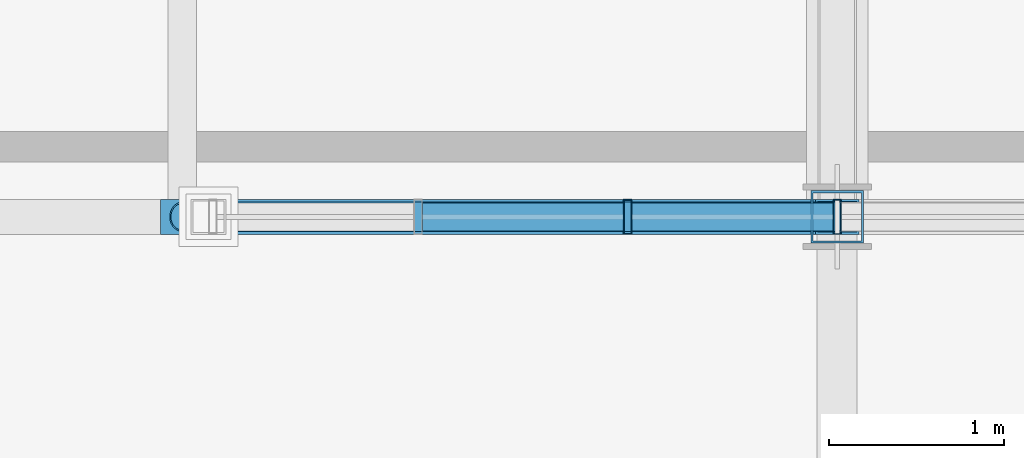
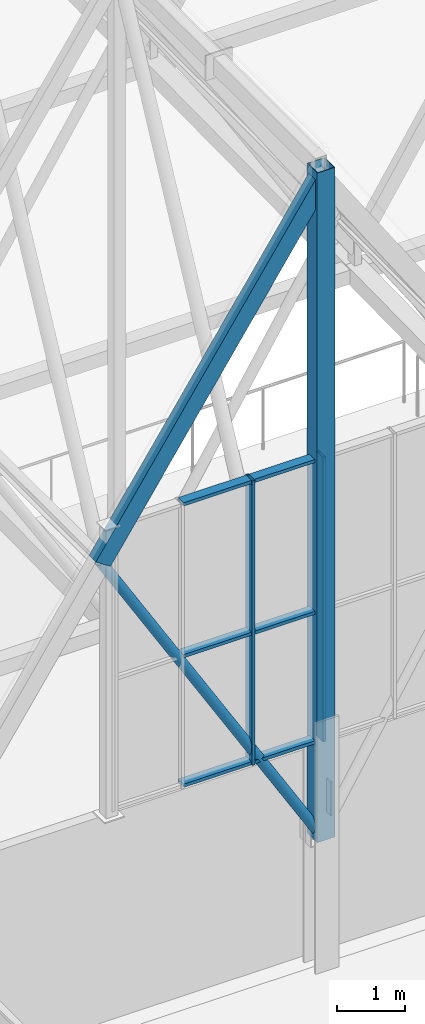
# One storey, part 81 of 324: 11 members, 1 element without a shape of its own.
"""IFC4 building model written with IfcOpenShell, lengths in metres."""

from ifc_helpers import new_model, si_unit, direction, frame, origin, origin_2d, place, context, subcontext, project, spatial, hollow_rectangle, hollow_circle, extrude, material, layer, layer_set, material_profile, profile_set, type_object, element, aggregate, save


model = new_model("IFC4")

# Units and contexts
model_context = context("Model", 3, precision=1e-05, world=origin(), true_north=direction((0.0, 1.0)))
body_context = subcontext(model_context, "Body", "Model", "MODEL_VIEW")
ifc_project = project(units=[si_unit("LENGTHUNIT", "METRE"), si_unit("AREAUNIT", "SQUARE_METRE"), si_unit("VOLUMEUNIT", "CUBIC_METRE"), si_unit("PLANEANGLEUNIT", "RADIAN"), si_unit("MASSUNIT", "GRAM", prefix="KILO")], contexts=[model_context])

# Site, building, storey
site_placement = place(None, origin())
site = spatial("IfcSite", under=ifc_project, at=site_placement, CompositionType="ELEMENT")
building_placement = place(site_placement, origin())
building = spatial("IfcBuilding", under=site, at=building_placement, Name="Solvenia Promenade Tram Depot", CompositionType="ELEMENT")
storey_placement = place(building_placement, frame((0.0, 0.0, 4.5)))
storey = spatial("IfcBuildingStorey", under=building, at=storey_placement, Name="L01", CompositionType="ELEMENT", Elevation=4.5)

# Curtain wall, members
ifc_material_1 = material(Name="Anodized aluminium AW-6063 T6", Category="aluminium")
ifc_layer = layer(ifc_material_1, 0.14990234375, Name="Anodized aluminium AW-6063 T6", Category="aluminium")
ifc_layer_set = layer_set([ifc_layer], Name="Anodized aluminium AW-6063 T6")
curtain_wall_type = type_object("IfcCurtainWallType", Name="CW-Gable-1200", PredefinedType="NOTDEFINED", material=ifc_layer_set)
curtain_wall_placement = place(storey_placement, origin())
curtain_wall = element("IfcCurtainWall", 1, at=curtain_wall_placement, inside=storey, type_object=curtain_wall_type, Name="South Zigzag Gable 01 Peak Glazing", PredefinedType="NOTDEFINED")
ifc_material_profile_1 = material_profile(ifc_material_1, hollow_rectangle(XDim=0.199951171875, YDim=0.048095703125, WallThickness=0.00390625, at=origin_2d()), Name="ALU-M3", Category="aluminium")
ifc_profile_set_1 = profile_set([ifc_material_profile_1], Name="Anodized aluminium AW-6063 T6")
member_type_1 = type_object("IfcMemberType", Name="CWM-Mullion-3", PredefinedType="MULLION", material=ifc_profile_set_1)
member_1_placement = place(storey_placement, frame((6.300048828125, 66.0, 4.050048828125), z_axis=(0.0, 0.0, 1.0), x_axis=(0.0, 1.0, 0.0)))
member_1 = element("IfcMember", 2, at=member_1_placement, type_object=member_type_1, Name="CW-3 mullion 3", PredefinedType="MULLION", context=body_context, shape_type="SweptSolid", body=[
    extrude(hollow_rectangle(XDim=0.199951171875, YDim=0.048095703125, WallThickness=0.00390625, at=origin_2d()), origin(), (0.0, 0.0, 1.0), 5.099853515625),
])
member_2_placement = place(storey_placement, frame((7.5, 66.0, 4.050048828125), z_axis=(0.0, 0.0, 1.0), x_axis=(0.0, 1.0, 0.0)))
member_2 = element("IfcMember", 3, at=member_2_placement, type_object=member_type_1, Name="CW-3 mullion 4", PredefinedType="MULLION", context=body_context, shape_type="SweptSolid", body=[
    extrude(hollow_rectangle(XDim=0.199951171875, YDim=0.048095703125, WallThickness=0.00390625, at=origin_2d()), origin(), (0.0, 0.0, 1.0), 5.099853515625),
])
ifc_material_profile_2 = material_profile(ifc_material_1, hollow_rectangle(XDim=0.159912109375, YDim=0.05810546875, WallThickness=0.00390625, at=origin_2d()), Name="ALU-T3", Category="aluminium")
ifc_profile_set_2 = profile_set([ifc_material_profile_2], Name="Anodized aluminium AW-6063 T6")
member_type_2 = type_object("IfcMemberType", Name="CWT-Transom-3", PredefinedType="USERDEFINED", material=ifc_profile_set_2)
member_3_placement = place(storey_placement, frame((5.1240234375, 66.0, 4.0791015625), z_axis=(1.0, 0.0, 0.0), x_axis=(0.0, 1.0, 0.0)))
member_3 = element("IfcMember", 4, at=member_3_placement, type_object=member_type_2, Name="CW-3 transom 2.1", ObjectType="TRANSOM", PredefinedType="USERDEFINED", context=body_context, shape_type="SweptSolid", body=[
    extrude(hollow_rectangle(XDim=0.159912109375, YDim=0.05810546875, WallThickness=0.00390625, at=origin_2d()), origin(), (0.0, 0.0, 1.0), 1.15185546875),
])
member_4_placement = place(storey_placement, frame((5.1240234375, 66.0, 6.39990234375), z_axis=(1.0, 0.0, 0.0), x_axis=(0.0, 1.0, 0.0)))
member_4 = element("IfcMember", 5, at=member_4_placement, type_object=member_type_2, Name="CW-3 transom 2.2", ObjectType="TRANSOM", PredefinedType="USERDEFINED", context=body_context, shape_type="SweptSolid", body=[
    extrude(hollow_rectangle(XDim=0.159912109375, YDim=0.05810546875, WallThickness=0.00390625, at=origin_2d()), origin(), (0.0, 0.0, 1.0), 1.15185546875),
])
member_5_placement = place(storey_placement, frame((5.1240234375, 66.0, 9.12109375), z_axis=(1.0, 0.0, 0.0), x_axis=(0.0, 1.0, 0.0)))
member_5 = element("IfcMember", 6, at=member_5_placement, type_object=member_type_2, Name="CW-3 transom 2.3", ObjectType="TRANSOM", PredefinedType="USERDEFINED", context=body_context, shape_type="SweptSolid", body=[
    extrude(hollow_rectangle(XDim=0.159912109375, YDim=0.05810546875, WallThickness=0.00390625, at=origin_2d()), origin(), (0.0, 0.0, 1.0), 1.15185546875),
])
member_6_placement = place(storey_placement, frame((6.323974609375, 66.0, 4.0791015625), z_axis=(1.0, 0.0, 0.0), x_axis=(0.0, 1.0, 0.0)))
member_6 = element("IfcMember", 7, at=member_6_placement, type_object=member_type_2, Name="CW-3 transom 3.1", ObjectType="TRANSOM", PredefinedType="USERDEFINED", context=body_context, shape_type="SweptSolid", body=[
    extrude(hollow_rectangle(XDim=0.159912109375, YDim=0.05810546875, WallThickness=0.00390625, at=origin_2d()), origin(), (0.0, 0.0, 1.0), 1.152099609375),
])
member_7_placement = place(storey_placement, frame((6.323974609375, 66.0, 6.39990234375), z_axis=(1.0, 0.0, 0.0), x_axis=(0.0, 1.0, 0.0)))
member_7 = element("IfcMember", 8, at=member_7_placement, type_object=member_type_2, Name="CW-3 transom 3.2", ObjectType="TRANSOM", PredefinedType="USERDEFINED", context=body_context, shape_type="SweptSolid", body=[
    extrude(hollow_rectangle(XDim=0.159912109375, YDim=0.05810546875, WallThickness=0.00390625, at=origin_2d()), origin(), (0.0, 0.0, 1.0), 1.152099609375),
])
member_8_placement = place(storey_placement, frame((6.323974609375, 66.0, 9.12109375), z_axis=(1.0, 0.0, 0.0), x_axis=(0.0, 1.0, 0.0)))
member_8 = element("IfcMember", 9, at=member_8_placement, type_object=member_type_2, Name="CW-3 transom 3.3", ObjectType="TRANSOM", PredefinedType="USERDEFINED", context=body_context, shape_type="SweptSolid", body=[
    extrude(hollow_rectangle(XDim=0.159912109375, YDim=0.05810546875, WallThickness=0.00390625, at=origin_2d()), origin(), (0.0, 0.0, 1.0), 1.152099609375),
])
aggregate(curtain_wall, [member_1, member_2, member_3, member_4, member_5, member_6, member_7, member_8])

# Members
ifc_material_2 = material(Name="Structural steel ASTM A500 Gr. C", Category="steel")
ifc_material_profile_3 = material_profile(ifc_material_2, hollow_rectangle(XDim=0.199951171875, YDim=0.300048828125, WallThickness=0.012451171875, at=origin_2d()), Name="HSS300x200x12.5", Category="steel")
ifc_profile_set_3 = profile_set([ifc_material_profile_3], Name="Structural steel ASTM A500 Gr. C")
member_type_3 = type_object("IfcMemberType", Name="Chord-HSS300x200x12", PredefinedType="CHORD", material=ifc_profile_set_3)
member_9_placement = place(storey_placement, frame((3.75, 66.0, 8.54443359375), z_axis=(0.557259486914, 0.0, 0.83033840345), x_axis=(0.0, 1.0, 0.0)))
element("IfcMember", 10, at=member_9_placement, inside=storey, type_object=member_type_3, Name="Zigzag Gable 01 West Upper Rafter", PredefinedType="CHORD", context=body_context, shape_type="SweptSolid", body=[
    extrude(hollow_rectangle(XDim=0.199951171875, YDim=0.300048828125, WallThickness=0.012451171875, at=origin_2d()), origin(), (0.0, 0.0, 1.0), 6.729248046875),
])
ifc_material_profile_4 = material_profile(ifc_material_2, hollow_rectangle(XDim=0.300048828125, YDim=0.300048828125, WallThickness=0.012451171875, at=origin_2d()), Name="HSS300x300x12.5", Category="steel")
ifc_profile_set_4 = profile_set([ifc_material_profile_4], Name="Structural steel ASTM A500 Gr. C")
member_type_4 = type_object("IfcMemberType", Name="Chord-HSS300x300x12", PredefinedType="CHORD", material=ifc_profile_set_4)
member_10_placement = place(storey_placement, frame((7.5, 66.0, 2.320068359375), z_axis=(0.0, 0.0, 1.0), x_axis=(1.0, 0.0, 0.0)))
element("IfcMember", 11, at=member_10_placement, inside=storey, type_object=member_type_4, Name="Arched Truss T02 S End Post", PredefinedType="CHORD", context=body_context, shape_type="SweptSolid", body=[
    extrude(hollow_rectangle(XDim=0.300048828125, YDim=0.300048828125, WallThickness=0.012451171875, at=origin_2d()), origin(), (0.0, 0.0, 1.0), 12.0048828125),
])
ifc_material_profile_5 = material_profile(ifc_material_2, hollow_circle(Radius=0.084228515625, WallThickness=0.008056640625, at=origin_2d()), Name="CHS168.3x8", Category="steel")
ifc_profile_set_5 = profile_set([ifc_material_profile_5], Name="Structural steel ASTM A500 Gr. C")
member_type_5 = type_object("IfcMemberType", Name="WebDiag-CHS168x8", PredefinedType="BRACE", material=ifc_profile_set_5)
member_11_placement = place(storey_placement, frame((7.5, 66.0, 2.320068359375), z_axis=(-0.516051243619, 0.0, 0.856557711984), x_axis=(0.0, -1.0, 0.0)))
element("IfcMember", 12, at=member_11_placement, inside=storey, type_object=member_type_5, Name="Zigzag Gable 01 West Knee Strut", PredefinedType="BRACE", context=body_context, shape_type="SweptSolid", body=[
    extrude(hollow_circle(Radius=0.084228515625, WallThickness=0.008056640625, at=origin_2d()), origin(), (0.0, 0.0, 1.0), 7.2666015625),
])

save(model, "model.ifc")
